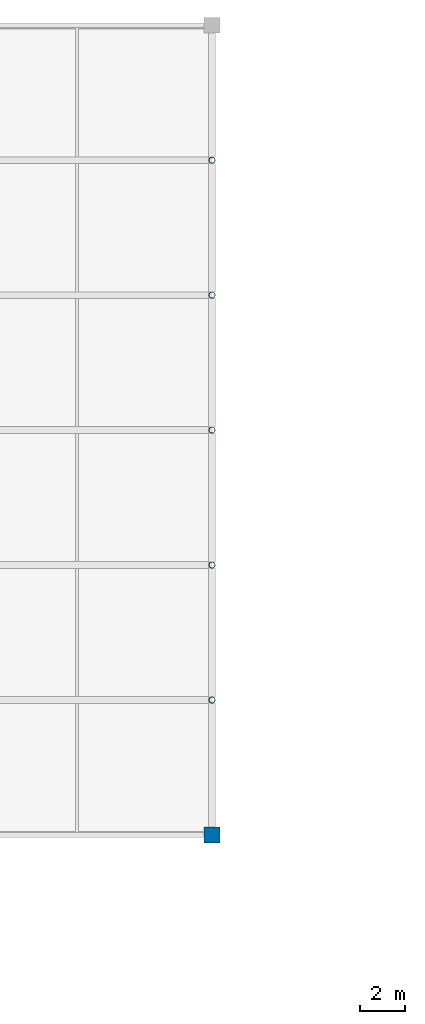
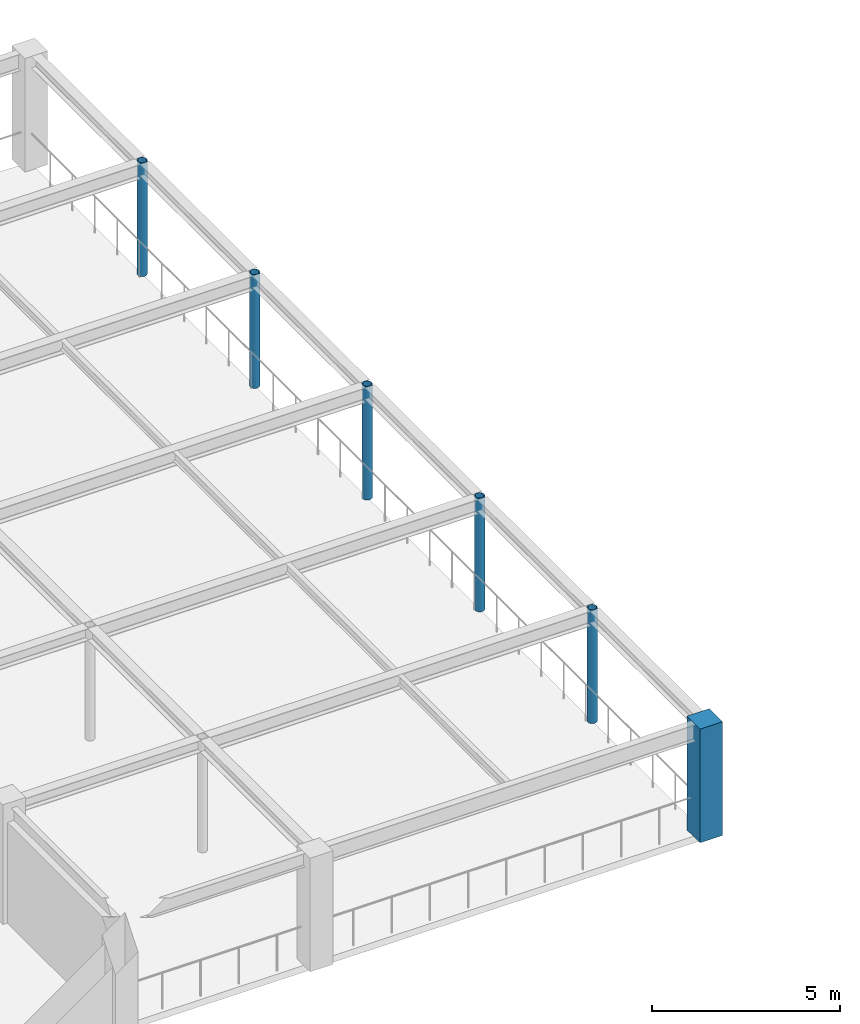
# One storey, part 8 of 25: 6 columns.
"""IFC4 building model written with IfcOpenShell, lengths in metres."""

from ifc_helpers import new_model, si_unit, direction, frame, origin, origin_2d, place, context, subcontext, project, spatial, rectangle, hollow_circle, extrude, material, material_profile, profile_set, type_object, element, save


model = new_model("IFC4")

# Units and contexts
model_context = context("Model", 3, precision=1e-05, world=origin(), true_north=direction((0.0, 1.0)))
body_context = subcontext(model_context, "Body", "Model", "MODEL_VIEW")
ifc_project = project(units=[si_unit("LENGTHUNIT", "METRE"), si_unit("AREAUNIT", "SQUARE_METRE"), si_unit("VOLUMEUNIT", "CUBIC_METRE"), si_unit("PLANEANGLEUNIT", "RADIAN"), si_unit("MASSUNIT", "GRAM", prefix="KILO")], contexts=[model_context])

# Site, building, storey
site_placement = place(None, origin())
site = spatial("IfcSite", under=ifc_project, at=site_placement, CompositionType="ELEMENT")
building_placement = place(site_placement, origin())
building = spatial("IfcBuilding", under=site, at=building_placement, Name="Zlatovratsky Civic Hall", CompositionType="ELEMENT")
storey_placement = place(building_placement, frame((0.0, 0.0, 21.0)))
storey = spatial("IfcBuildingStorey", under=building, at=storey_placement, Name="L05", CompositionType="ELEMENT", Elevation=21.0)

# Columns
ifc_material_1 = material(Name="Concrete C35/45 (B40)", Category="concrete")
ifc_material_profile_1 = material_profile(ifc_material_1, rectangle(XDim=0.699951171875, YDim=0.699951171875, at=origin_2d()), Name="RC 700x700")
ifc_profile_set_1 = profile_set([ifc_material_profile_1], Name="Concrete C35/45 (B40)")
column_type_1 = type_object("IfcColumnType", Name="Col_CorePier_RC700", PredefinedType="COLUMN", material=ifc_profile_set_1)
column_placement = place(storey_placement, frame((132.0, 72.0, 0.0), z_axis=(0.0, 0.0, 1.0), x_axis=(1.0, 0.0, 0.0)))
element("IfcColumn", 1, at=column_placement, inside=storey, type_object=column_type_1, Name="CL-1927", PredefinedType="COLUMN", context=body_context, shape_type="SweptSolid", body=[
    extrude(rectangle(XDim=0.699951171875, YDim=0.699951171875, at=origin_2d()), origin(), (0.0, 0.0, 1.0), 3.699951171875),
])
ifc_material_2 = material(Name="Steel S355", Category="steel")
ifc_material_profile_2 = material_profile(ifc_material_2, hollow_circle(Radius=0.136474609375, WallThickness=0.010009765625, at=origin_2d()), Name="CHS 273x10")
ifc_profile_set_2 = profile_set([ifc_material_profile_2], Name="Steel S355")
column_type_2 = type_object("IfcColumnType", Name="Col_Portico_CHS273", PredefinedType="COLUMN", material=ifc_profile_set_2)
for number, where, z_axis, x_axis, name in (
    (2, (132.0, 78.0, 0.0), (0.0, 0.0, 1.0), (1.0, 0.0, 0.0), "CL-1942"),
    (3, (132.0, 84.0, 0.0), (0.0, 0.0, 1.0), (1.0, 0.0, 0.0), "CL-1957"),
    (4, (132.0, 90.0, 0.0), (0.0, 0.0, 1.0), (1.0, 0.0, 0.0), "CL-1972"),
    (5, (132.0, 96.0, 0.0), (0.0, 0.0, 1.0), (1.0, 0.0, 0.0), "CL-1987"),
    (6, (132.0, 102.0, 0.0), (0.0, 0.0, 1.0), (1.0, 0.0, 0.0), "CL-2002"),
):
    element("IfcColumn", number, at=place(storey_placement, frame(where, z_axis=z_axis, x_axis=x_axis)), inside=storey, type_object=column_type_2, Name=name, PredefinedType="COLUMN", context=body_context, shape_type="SweptSolid", body=[
        extrude(hollow_circle(Radius=0.136474609375, WallThickness=0.010009765625, at=origin_2d()), origin(), (0.0, 0.0, 1.0), 3.699951171875),
    ])

save(model, "model.ifc")
